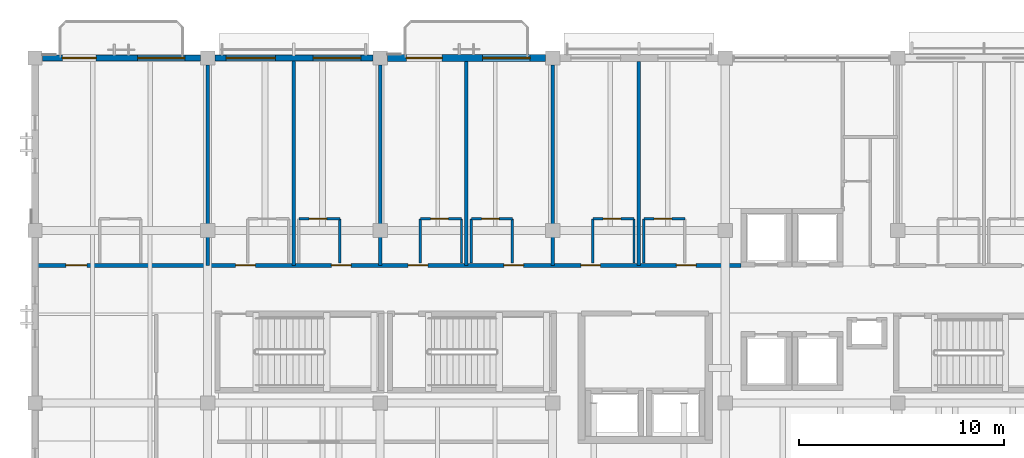
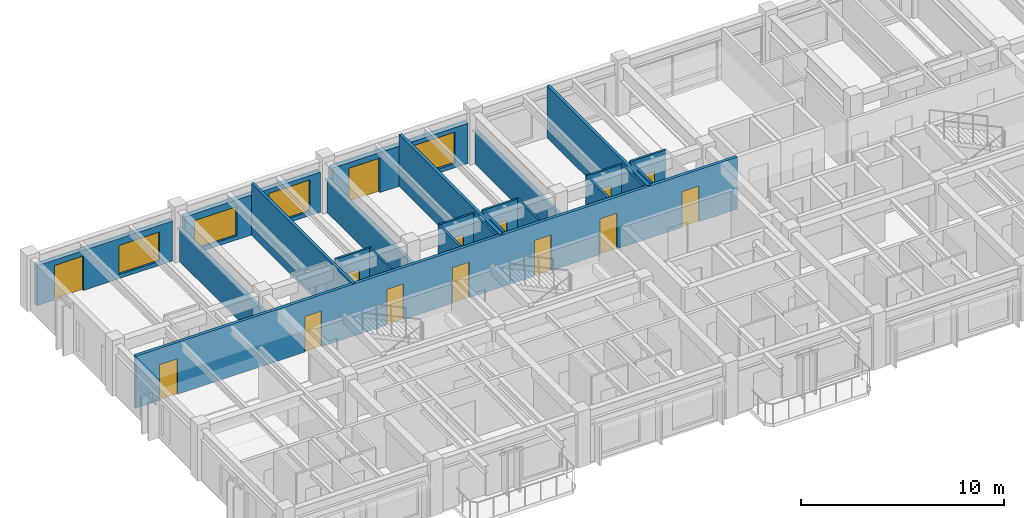
# One storey, part 8 of 18: 23 walls, 14 doors, 4 windows, 18 openings.
"""IFC4 building model written with IfcOpenShell, lengths in metres."""

from ifc_helpers import new_model, si_unit, direction, frame, frame_2d, origin, place, context, subcontext, project, spatial, rectangle, extrude, material, layer, layer_set, type_object, element, fill, save


model = new_model("IFC4")

# Units and contexts
model_context = context("Model", 3, precision=1e-05, world=origin(), true_north=direction((0.0, 1.0)))
body_context = subcontext(model_context, "Body", "Model", "MODEL_VIEW")
ifc_project = project(units=[si_unit("LENGTHUNIT", "METRE"), si_unit("AREAUNIT", "SQUARE_METRE"), si_unit("VOLUMEUNIT", "CUBIC_METRE"), si_unit("PLANEANGLEUNIT", "RADIAN"), si_unit("MASSUNIT", "GRAM", prefix="KILO")], contexts=[model_context])

# Site, building, storey
site_placement = place(None, origin())
site = spatial("IfcSite", under=ifc_project, at=site_placement, CompositionType="ELEMENT")
building_placement = place(site_placement, origin())
building = spatial("IfcBuilding", under=site, at=building_placement, Name="Cumbredor Promenade Congress Hotel", CompositionType="ELEMENT")
storey_placement = place(building_placement, frame((0.0, 0.0, 25.199951171875)))
storey = spatial("IfcBuildingStorey", under=building, at=storey_placement, Name="L07", CompositionType="ELEMENT", Elevation=25.199951171875)

# Wall, opening, door
ifc_material_1 = material(Name="Moisture-resistant gypsum board on steel studs", Category="steel")
ifc_layer_1 = layer(ifc_material_1, 0.114990234375, Name="Moisture-resistant gypsum board on steel studs", Category="steel")
ifc_layer_set_1 = layer_set([ifc_layer_1], Name="Moisture-resistant gypsum board on steel studs")
wall_type_1 = type_object("IfcWallType", Name="WL-BATH-115", PredefinedType="PARTITIONING", material=ifc_layer_set_1)
wall_1_placement = place(storey_placement, frame((12.840087890625, 109.77001953125, 0.0), z_axis=(0.0, 0.0, 1.0), x_axis=(1.0, 0.0, 0.0)))
wall_1 = element("IfcWall", 1, at=wall_1_placement, inside=storey, type_object=wall_type_1, Name="L07 Interior Partition W-L07-BH-0703", PredefinedType="PARTITIONING", context=body_context, shape_type="SweptSolid", body=[
    extrude(rectangle(XDim=2.0, YDim=0.114990234375, at=frame_2d((1.0, 0.0))), origin(), (0.0, 0.0, 1.0), 3.1201171875),
])
opening_1_placement = place(wall_1_placement, frame((0.5, 0.0, 0.0)))
opening_1 = element("IfcOpeningElement", 2, at=opening_1_placement, cuts=wall_1, Name="Opening ID-01", PredefinedType="OPENING", context=body_context, shape_type="SweptSolid", body=[
    extrude(rectangle(XDim=0.860107421875, YDim=2.050048828125, at=frame_2d((0.43017578125, 1.02490234375))), frame((0.0, 0.0673828125, 0.0), z_axis=(0.0, -1.0, 0.0), x_axis=(1.0, 0.0, 0.0)), (0.0, 0.0, 1.0), 0.135009765625),
])
ifc_material_2 = material(Name="Kiln-dried tropical hardwood", Category="wood")
door_type_1 = type_object("IfcDoorType", Name="DR-BATH-860", OperationType="NOTDEFINED", PredefinedType="DOOR", material=ifc_material_2)
door_1_placement = place(opening_1_placement, origin())
door_1 = element("IfcDoor", 3, at=door_1_placement, inside=storey, type_object=door_type_1, Name="L07 Interior Door W-L07-BH-0703-01", OperationType="SINGLE_SWING_LEFT", OverallHeight=2.050048828125, OverallWidth=0.860107421875, PredefinedType="DOOR", context=body_context, shape_type="SweptSolid", body=[
    extrude(rectangle(XDim=0.860107421875, YDim=2.050048828125, at=frame_2d((0.43017578125, 1.02490234375))), frame((0.0, 0.02490234375, 0.0), z_axis=(0.0, -1.0, 0.0), x_axis=(1.0, 0.0, 0.0)), (0.0, 0.0, 1.0), 0.050048828125),
])
fill(opening_1, door_1)

# Wall
wall_2_placement = place(storey_placement, frame((14.840087890625, 107.6201171875, 0.0), z_axis=(0.0, 0.0, 1.0), x_axis=(0.0, 1.0, 0.0)))
element("IfcWall", 4, at=wall_2_placement, inside=storey, type_object=wall_type_1, Name="L07 Interior Partition W-L07-BV2-0703", PredefinedType="PARTITIONING", context=body_context, shape_type="SweptSolid", body=[
    extrude(rectangle(XDim=2.14990234375, YDim=0.114990234375, at=frame_2d((1.074951171875, 0.0))), origin(), (0.0, 0.0, 1.0), 3.1201171875),
])

# Wall, opening, door
wall_3_placement = place(storey_placement, frame((18.760009765625, 109.77001953125, 0.0), z_axis=(0.0, 0.0, 1.0), x_axis=(1.0, 0.0, 0.0)))
wall_3 = element("IfcWall", 5, at=wall_3_placement, inside=storey, type_object=wall_type_1, Name="L07 Interior Partition W-L07-BH-0704", PredefinedType="PARTITIONING", context=body_context, shape_type="SweptSolid", body=[
    extrude(rectangle(XDim=2.0, YDim=0.114990234375, at=frame_2d((1.0, 0.0))), origin(), (0.0, 0.0, 1.0), 3.1201171875),
])
opening_2_placement = place(wall_3_placement, frame((0.5, 0.0, 0.0)))
opening_2 = element("IfcOpeningElement", 6, at=opening_2_placement, cuts=wall_3, Name="Opening ID-01", PredefinedType="OPENING", context=body_context, shape_type="SweptSolid", body=[
    extrude(rectangle(XDim=0.860107421875, YDim=2.050048828125, at=frame_2d((0.43017578125, 1.02490234375))), frame((0.0, 0.0673828125, 0.0), z_axis=(0.0, -1.0, 0.0), x_axis=(1.0, 0.0, 0.0)), (0.0, 0.0, 1.0), 0.135009765625),
])
door_2_placement = place(opening_2_placement, origin())
door_2 = element("IfcDoor", 7, at=door_2_placement, inside=storey, type_object=door_type_1, Name="L07 Interior Door W-L07-BH-0704-01", OperationType="SINGLE_SWING_RIGHT", OverallHeight=2.050048828125, OverallWidth=0.860107421875, PredefinedType="DOOR", context=body_context, shape_type="SweptSolid", body=[
    extrude(rectangle(XDim=0.860107421875, YDim=2.050048828125, at=frame_2d((0.43017578125, 1.02490234375))), frame((0.0, 0.02490234375, 0.0), z_axis=(0.0, -1.0, 0.0), x_axis=(1.0, 0.0, 0.0)), (0.0, 0.0, 1.0), 0.050048828125),
])
fill(opening_2, door_2)

# Walls
for number, where, z_axis, x_axis, name in (
    (8, (18.760009765625, 107.6201171875, 0.0), (0.0, 0.0, 1.0), (0.0, 1.0, 0.0), "L07 Interior Partition W-L07-BV1-0704"),
    (9, (20.760009765625, 107.6201171875, 0.0), (0.0, 0.0, 1.0), (0.0, 1.0, 0.0), "L07 Interior Partition W-L07-BV2-0704"),
):
    element("IfcWall", number, at=place(storey_placement, frame(where, z_axis=z_axis, x_axis=x_axis)), inside=storey, type_object=wall_type_1, Name=name, PredefinedType="PARTITIONING", context=body_context, shape_type="SweptSolid", body=[
        extrude(rectangle(XDim=2.14990234375, YDim=0.114990234375, at=frame_2d((1.074951171875, 0.0))), origin(), (0.0, 0.0, 1.0), 3.1201171875),
    ])

# Wall, opening, door
wall_4_placement = place(storey_placement, frame((21.239990234375, 109.77001953125, 0.0), z_axis=(0.0, 0.0, 1.0), x_axis=(1.0, 0.0, 0.0)))
wall_4 = element("IfcWall", 10, at=wall_4_placement, inside=storey, type_object=wall_type_1, Name="L07 Interior Partition W-L07-BH-0705", PredefinedType="PARTITIONING", context=body_context, shape_type="SweptSolid", body=[
    extrude(rectangle(XDim=2.0, YDim=0.114990234375, at=frame_2d((1.0, 0.0))), origin(), (0.0, 0.0, 1.0), 3.1201171875),
])
opening_3_placement = place(wall_4_placement, frame((0.5, 0.0, 0.0)))
opening_3 = element("IfcOpeningElement", 11, at=opening_3_placement, cuts=wall_4, Name="Opening ID-01", PredefinedType="OPENING", context=body_context, shape_type="SweptSolid", body=[
    extrude(rectangle(XDim=0.860107421875, YDim=2.050048828125, at=frame_2d((0.43017578125, 1.02490234375))), frame((0.0, 0.0673828125, 0.0), z_axis=(0.0, -1.0, 0.0), x_axis=(1.0, 0.0, 0.0)), (0.0, 0.0, 1.0), 0.135009765625),
])
door_3_placement = place(opening_3_placement, origin())
door_3 = element("IfcDoor", 12, at=door_3_placement, inside=storey, type_object=door_type_1, Name="L07 Interior Door W-L07-BH-0705-01", OperationType="SINGLE_SWING_LEFT", OverallHeight=2.050048828125, OverallWidth=0.860107421875, PredefinedType="DOOR", context=body_context, shape_type="SweptSolid", body=[
    extrude(rectangle(XDim=0.860107421875, YDim=2.050048828125, at=frame_2d((0.43017578125, 1.02490234375))), frame((0.0, 0.02490234375, 0.0), z_axis=(0.0, -1.0, 0.0), x_axis=(1.0, 0.0, 0.0)), (0.0, 0.0, 1.0), 0.050048828125),
])
fill(opening_3, door_3)

# Walls
for number, where, z_axis, x_axis, name in (
    (13, (21.239990234375, 107.6201171875, 0.0), (0.0, 0.0, 1.0), (0.0, 1.0, 0.0), "L07 Interior Partition W-L07-BV1-0705"),
    (14, (23.239990234375, 107.6201171875, 0.0), (0.0, 0.0, 1.0), (0.0, 1.0, 0.0), "L07 Interior Partition W-L07-BV2-0705"),
):
    element("IfcWall", number, at=place(storey_placement, frame(where, z_axis=z_axis, x_axis=x_axis)), inside=storey, type_object=wall_type_1, Name=name, PredefinedType="PARTITIONING", context=body_context, shape_type="SweptSolid", body=[
        extrude(rectangle(XDim=2.14990234375, YDim=0.114990234375, at=frame_2d((1.074951171875, 0.0))), origin(), (0.0, 0.0, 1.0), 3.1201171875),
    ])

# Wall, opening, door
wall_5_placement = place(storey_placement, frame((27.159912109375, 109.77001953125, 0.0), z_axis=(0.0, 0.0, 1.0), x_axis=(1.0, 0.0, 0.0)))
wall_5 = element("IfcWall", 15, at=wall_5_placement, inside=storey, type_object=wall_type_1, Name="L07 Interior Partition W-L07-BH-0706", PredefinedType="PARTITIONING", context=body_context, shape_type="SweptSolid", body=[
    extrude(rectangle(XDim=2.0, YDim=0.114990234375, at=frame_2d((1.0, 0.0))), origin(), (0.0, 0.0, 1.0), 3.1201171875),
])
opening_4_placement = place(wall_5_placement, frame((0.5, 0.0, 0.0)))
opening_4 = element("IfcOpeningElement", 16, at=opening_4_placement, cuts=wall_5, Name="Opening ID-01", PredefinedType="OPENING", context=body_context, shape_type="SweptSolid", body=[
    extrude(rectangle(XDim=0.860107421875, YDim=2.050048828125, at=frame_2d((0.43017578125, 1.02490234375))), frame((0.0, 0.0673828125, 0.0), z_axis=(0.0, -1.0, 0.0), x_axis=(1.0, 0.0, 0.0)), (0.0, 0.0, 1.0), 0.135009765625),
])
door_4_placement = place(opening_4_placement, origin())
door_4 = element("IfcDoor", 17, at=door_4_placement, inside=storey, type_object=door_type_1, Name="L07 Interior Door W-L07-BH-0706-01", OperationType="SINGLE_SWING_RIGHT", OverallHeight=2.050048828125, OverallWidth=0.860107421875, PredefinedType="DOOR", context=body_context, shape_type="SweptSolid", body=[
    extrude(rectangle(XDim=0.860107421875, YDim=2.050048828125, at=frame_2d((0.43017578125, 1.02490234375))), frame((0.0, 0.02490234375, 0.0), z_axis=(0.0, -1.0, 0.0), x_axis=(1.0, 0.0, 0.0)), (0.0, 0.0, 1.0), 0.050048828125),
])
fill(opening_4, door_4)

# Walls
for number, where, z_axis, x_axis, name in (
    (18, (27.159912109375, 107.6201171875, 0.0), (0.0, 0.0, 1.0), (0.0, 1.0, 0.0), "L07 Interior Partition W-L07-BV1-0706"),
    (19, (29.159912109375, 107.6201171875, 0.0), (0.0, 0.0, 1.0), (0.0, 1.0, 0.0), "L07 Interior Partition W-L07-BV2-0706"),
):
    element("IfcWall", number, at=place(storey_placement, frame(where, z_axis=z_axis, x_axis=x_axis)), inside=storey, type_object=wall_type_1, Name=name, PredefinedType="PARTITIONING", context=body_context, shape_type="SweptSolid", body=[
        extrude(rectangle(XDim=2.14990234375, YDim=0.114990234375, at=frame_2d((1.074951171875, 0.0))), origin(), (0.0, 0.0, 1.0), 3.1201171875),
    ])

# Wall, opening, door
wall_6_placement = place(storey_placement, frame((29.639892578125, 109.77001953125, 0.0), z_axis=(0.0, 0.0, 1.0), x_axis=(1.0, 0.0, 0.0)))
wall_6 = element("IfcWall", 20, at=wall_6_placement, inside=storey, type_object=wall_type_1, Name="L07 Interior Partition W-L07-BH-0707", PredefinedType="PARTITIONING", context=body_context, shape_type="SweptSolid", body=[
    extrude(rectangle(XDim=2.0, YDim=0.114990234375, at=frame_2d((1.0, 0.0))), origin(), (0.0, 0.0, 1.0), 3.1201171875),
])
opening_5_placement = place(wall_6_placement, frame((0.5, 0.0, 0.0)))
opening_5 = element("IfcOpeningElement", 21, at=opening_5_placement, cuts=wall_6, Name="Opening ID-01", PredefinedType="OPENING", context=body_context, shape_type="SweptSolid", body=[
    extrude(rectangle(XDim=0.860107421875, YDim=2.050048828125, at=frame_2d((0.43017578125, 1.02490234375))), frame((0.0, 0.0673828125, 0.0), z_axis=(0.0, -1.0, 0.0), x_axis=(1.0, 0.0, 0.0)), (0.0, 0.0, 1.0), 0.135009765625),
])
door_5_placement = place(opening_5_placement, origin())
door_5 = element("IfcDoor", 22, at=door_5_placement, inside=storey, type_object=door_type_1, Name="L07 Interior Door W-L07-BH-0707-01", OperationType="SINGLE_SWING_LEFT", OverallHeight=2.050048828125, OverallWidth=0.860107421875, PredefinedType="DOOR", context=body_context, shape_type="SweptSolid", body=[
    extrude(rectangle(XDim=0.860107421875, YDim=2.050048828125, at=frame_2d((0.43017578125, 1.02490234375))), frame((0.0, 0.02490234375, 0.0), z_axis=(0.0, -1.0, 0.0), x_axis=(1.0, 0.0, 0.0)), (0.0, 0.0, 1.0), 0.050048828125),
])
fill(opening_5, door_5)

# Wall
wall_7_placement = place(storey_placement, frame((29.639892578125, 107.6201171875, 0.0), z_axis=(0.0, 0.0, 1.0), x_axis=(0.0, 1.0, 0.0)))
element("IfcWall", 23, at=wall_7_placement, inside=storey, type_object=wall_type_1, Name="L07 Interior Partition W-L07-BV1-0707", PredefinedType="PARTITIONING", context=body_context, shape_type="SweptSolid", body=[
    extrude(rectangle(XDim=2.14990234375, YDim=0.114990234375, at=frame_2d((1.074951171875, 0.0))), origin(), (0.0, 0.0, 1.0), 3.1201171875),
])

# Wall, openings, doors
ifc_material_3 = material(Name="Fire-rated hotel corridor wall")
ifc_layer_2 = layer(ifc_material_3, 0.179931640625, Name="Fire-rated hotel corridor wall")
ifc_layer_set_2 = layer_set([ifc_layer_2], Name="Fire-rated hotel corridor wall")
wall_type_2 = type_object("IfcWallType", Name="WL-CORR-180", PredefinedType="PARTITIONING", material=ifc_layer_set_2)
wall_8_placement = place(storey_placement, frame((0.14990234375, 107.5, 0.0), z_axis=(0.0, 0.0, 1.0), x_axis=(1.0, 0.0, 0.0)))
wall_8 = element("IfcWall", 24, at=wall_8_placement, inside=storey, type_object=wall_type_2, Name="L07 Interior Partition W-L07-CORR-NW", PredefinedType="PARTITIONING", context=body_context, shape_type="SweptSolid", body=[
    extrude(rectangle(XDim=34.22021484375, YDim=0.179931640625, at=frame_2d((17.110107421875, 0.0))), origin(), (0.0, 0.0, 1.0), 3.1201171875),
])
opening_6_placement = place(wall_8_placement, frame((1.35009765625, 0.0, 0.0)))
opening_6 = element("IfcOpeningElement", 25, at=opening_6_placement, cuts=wall_8, Name="Opening FD-02", PredefinedType="OPENING", context=body_context, shape_type="SweptSolid", body=[
    extrude(rectangle(XDim=1.02001953125, YDim=2.14990234375, at=frame_2d((0.510009765625, 1.074951171875))), frame((0.0, 0.10009765625, 0.0), z_axis=(0.0, -1.0, 0.0), x_axis=(1.0, 0.0, 0.0)), (0.0, 0.0, 1.0), 0.199951171875),
])
opening_7_placement = place(wall_8_placement, frame((9.6201171875, 0.0, 0.0)))
opening_7 = element("IfcOpeningElement", 26, at=opening_7_placement, cuts=wall_8, Name="Opening FD-01", PredefinedType="OPENING", context=body_context, shape_type="SweptSolid", body=[
    extrude(rectangle(XDim=0.9599609375, YDim=2.14990234375, at=frame_2d((0.47998046875, 1.074951171875))), frame((0.0, 0.10009765625, 0.0), z_axis=(0.0, -1.0, 0.0), x_axis=(1.0, 0.0, 0.0)), (0.0, 0.0, 1.0), 0.199951171875),
])
opening_8_placement = place(wall_8_placement, frame((14.280029296875, 0.0, 0.0)))
opening_8 = element("IfcOpeningElement", 27, at=opening_8_placement, cuts=wall_8, Name="Opening FD-01", PredefinedType="OPENING", context=body_context, shape_type="SweptSolid", body=[
    extrude(rectangle(XDim=0.9599609375, YDim=2.14990234375, at=frame_2d((0.47998046875, 1.074951171875))), frame((0.0, 0.10009765625, 0.0), z_axis=(0.0, -1.0, 0.0), x_axis=(1.0, 0.0, 0.0)), (0.0, 0.0, 1.0), 0.199951171875),
])
opening_9_placement = place(wall_8_placement, frame((18.02001953125, 0.0, 0.0)))
opening_9 = element("IfcOpeningElement", 28, at=opening_9_placement, cuts=wall_8, Name="Opening FD-01", PredefinedType="OPENING", context=body_context, shape_type="SweptSolid", body=[
    extrude(rectangle(XDim=0.9599609375, YDim=2.14990234375, at=frame_2d((0.47998046875, 1.074951171875))), frame((0.0, 0.10009765625, 0.0), z_axis=(0.0, -1.0, 0.0), x_axis=(1.0, 0.0, 0.0)), (0.0, 0.0, 1.0), 0.199951171875),
])
opening_10_placement = place(wall_8_placement, frame((22.679931640625, 0.0, 0.0)))
opening_10 = element("IfcOpeningElement", 29, at=opening_10_placement, cuts=wall_8, Name="Opening FD-01", PredefinedType="OPENING", context=body_context, shape_type="SweptSolid", body=[
    extrude(rectangle(XDim=0.9599609375, YDim=2.14990234375, at=frame_2d((0.47998046875, 1.074951171875))), frame((0.0, 0.10009765625, 0.0), z_axis=(0.0, -1.0, 0.0), x_axis=(1.0, 0.0, 0.0)), (0.0, 0.0, 1.0), 0.199951171875),
])
opening_11_placement = place(wall_8_placement, frame((26.419921875, 0.0, 0.0)))
opening_11 = element("IfcOpeningElement", 30, at=opening_11_placement, cuts=wall_8, Name="Opening FD-01", PredefinedType="OPENING", context=body_context, shape_type="SweptSolid", body=[
    extrude(rectangle(XDim=0.9599609375, YDim=2.14990234375, at=frame_2d((0.47998046875, 1.074951171875))), frame((0.0, 0.10009765625, 0.0), z_axis=(0.0, -1.0, 0.0), x_axis=(1.0, 0.0, 0.0)), (0.0, 0.0, 1.0), 0.199951171875),
])
opening_12_placement = place(wall_8_placement, frame((31.080078125, 0.0, 0.0)))
opening_12 = element("IfcOpeningElement", 31, at=opening_12_placement, cuts=wall_8, Name="Opening FD-01", PredefinedType="OPENING", context=body_context, shape_type="SweptSolid", body=[
    extrude(rectangle(XDim=0.9599609375, YDim=2.14990234375, at=frame_2d((0.47998046875, 1.074951171875))), frame((0.0, 0.10009765625, 0.0), z_axis=(0.0, -1.0, 0.0), x_axis=(1.0, 0.0, 0.0)), (0.0, 0.0, 1.0), 0.199951171875),
])
ifc_material_4 = material(Name="Solid-core fire-rated tropical hardwood", Category="wood")
door_type_2 = type_object("IfcDoorType", Name="DR-GUEST-FD30-1000", OperationType="NOTDEFINED", PredefinedType="DOOR", material=ifc_material_4)
door_6_placement = place(opening_6_placement, origin())
door_6 = element("IfcDoor", 32, at=door_6_placement, inside=storey, type_object=door_type_2, Name="L07 Interior Door W-L07-CORR-NW-01", OperationType="SINGLE_SWING_RIGHT", OverallHeight=2.14990234375, OverallWidth=1.02001953125, PredefinedType="DOOR", context=body_context, shape_type="SweptSolid", body=[
    extrude(rectangle(XDim=1.02001953125, YDim=2.14990234375, at=frame_2d((0.510009765625, 1.074951171875))), frame((0.0, 0.02490234375, 0.0), z_axis=(0.0, -1.0, 0.0), x_axis=(1.0, 0.0, 0.0)), (0.0, 0.0, 1.0), 0.050048828125),
])
fill(opening_6, door_6)
door_type_3 = type_object("IfcDoorType", Name="DR-GUEST-FD30-950", OperationType="NOTDEFINED", PredefinedType="DOOR", material=ifc_material_4)
door_7_placement = place(opening_7_placement, origin())
door_7 = element("IfcDoor", 33, at=door_7_placement, inside=storey, type_object=door_type_3, Name="L07 Interior Door W-L07-CORR-NW-02", OperationType="SINGLE_SWING_LEFT", OverallHeight=2.14990234375, OverallWidth=0.9599609375, PredefinedType="DOOR", context=body_context, shape_type="SweptSolid", body=[
    extrude(rectangle(XDim=0.9599609375, YDim=2.14990234375, at=frame_2d((0.47998046875, 1.074951171875))), frame((0.0, 0.02490234375, 0.0), z_axis=(0.0, -1.0, 0.0), x_axis=(1.0, 0.0, 0.0)), (0.0, 0.0, 1.0), 0.050048828125),
])
fill(opening_7, door_7)
door_8_placement = place(opening_8_placement, origin())
door_8 = element("IfcDoor", 34, at=door_8_placement, inside=storey, type_object=door_type_3, Name="L07 Interior Door W-L07-CORR-NW-03", OperationType="SINGLE_SWING_RIGHT", OverallHeight=2.14990234375, OverallWidth=0.9599609375, PredefinedType="DOOR", context=body_context, shape_type="SweptSolid", body=[
    extrude(rectangle(XDim=0.9599609375, YDim=2.14990234375, at=frame_2d((0.47998046875, 1.074951171875))), frame((0.0, 0.02490234375, 0.0), z_axis=(0.0, -1.0, 0.0), x_axis=(1.0, 0.0, 0.0)), (0.0, 0.0, 1.0), 0.050048828125),
])
fill(opening_8, door_8)
door_9_placement = place(opening_9_placement, origin())
door_9 = element("IfcDoor", 35, at=door_9_placement, inside=storey, type_object=door_type_3, Name="L07 Interior Door W-L07-CORR-NW-04", OperationType="SINGLE_SWING_LEFT", OverallHeight=2.14990234375, OverallWidth=0.9599609375, PredefinedType="DOOR", context=body_context, shape_type="SweptSolid", body=[
    extrude(rectangle(XDim=0.9599609375, YDim=2.14990234375, at=frame_2d((0.47998046875, 1.074951171875))), frame((0.0, 0.02490234375, 0.0), z_axis=(0.0, -1.0, 0.0), x_axis=(1.0, 0.0, 0.0)), (0.0, 0.0, 1.0), 0.050048828125),
])
fill(opening_9, door_9)
door_10_placement = place(opening_10_placement, origin())
door_10 = element("IfcDoor", 36, at=door_10_placement, inside=storey, type_object=door_type_3, Name="L07 Interior Door W-L07-CORR-NW-05", OperationType="SINGLE_SWING_RIGHT", OverallHeight=2.14990234375, OverallWidth=0.9599609375, PredefinedType="DOOR", context=body_context, shape_type="SweptSolid", body=[
    extrude(rectangle(XDim=0.9599609375, YDim=2.14990234375, at=frame_2d((0.47998046875, 1.074951171875))), frame((0.0, 0.02490234375, 0.0), z_axis=(0.0, -1.0, 0.0), x_axis=(1.0, 0.0, 0.0)), (0.0, 0.0, 1.0), 0.050048828125),
])
fill(opening_10, door_10)
door_11_placement = place(opening_11_placement, origin())
door_11 = element("IfcDoor", 37, at=door_11_placement, inside=storey, type_object=door_type_3, Name="L07 Interior Door W-L07-CORR-NW-06", OperationType="SINGLE_SWING_LEFT", OverallHeight=2.14990234375, OverallWidth=0.9599609375, PredefinedType="DOOR", context=body_context, shape_type="SweptSolid", body=[
    extrude(rectangle(XDim=0.9599609375, YDim=2.14990234375, at=frame_2d((0.47998046875, 1.074951171875))), frame((0.0, 0.02490234375, 0.0), z_axis=(0.0, -1.0, 0.0), x_axis=(1.0, 0.0, 0.0)), (0.0, 0.0, 1.0), 0.050048828125),
])
fill(opening_11, door_11)
door_12_placement = place(opening_12_placement, origin())
door_12 = element("IfcDoor", 38, at=door_12_placement, inside=storey, type_object=door_type_3, Name="L07 Interior Door W-L07-CORR-NW-07", OperationType="SINGLE_SWING_RIGHT", OverallHeight=2.14990234375, OverallWidth=0.9599609375, PredefinedType="DOOR", context=body_context, shape_type="SweptSolid", body=[
    extrude(rectangle(XDim=0.9599609375, YDim=2.14990234375, at=frame_2d((0.47998046875, 1.074951171875))), frame((0.0, 0.02490234375, 0.0), z_axis=(0.0, -1.0, 0.0), x_axis=(1.0, 0.0, 0.0)), (0.0, 0.0, 1.0), 0.050048828125),
])
fill(opening_12, door_12)

# Wall, openings, door, window
ifc_material_5 = material(Name="Concrete C40/50", Category="concrete")
ifc_layer_3 = layer(ifc_material_5, 0.280029296875, Name="Concrete C40/50", Category="concrete")
ifc_layer_set_3 = layer_set([ifc_layer_3], Name="Concrete C40/50")
wall_type_3 = type_object("IfcWallType", Name="WL-EXT-280", PredefinedType="SOLIDWALL", material=ifc_layer_set_3)
wall_9_placement = place(storey_placement, frame((0.35107421875, 117.60009765625, 0.0), z_axis=(0.0, 0.0, 1.0), x_axis=(1.0, 0.0, 0.0)))
wall_9 = element("IfcWall", 39, at=wall_9_placement, inside=storey, type_object=wall_type_3, Name="L07 Stepped Congress Hotel Wing North Envelope Wall 1", PredefinedType="SOLIDWALL", context=body_context, shape_type="SweptSolid", body=[
    extrude(rectangle(XDim=7.697998046875, YDim=0.280029296875, at=frame_2d((3.84912109375, 0.0))), origin(), (0.0, 0.0, 1.0), 2.4140625),
])
opening_13_placement = place(wall_9_placement, frame((0.97412109375, 0.0, 0.0)))
opening_13 = element("IfcOpeningElement", 40, at=opening_13_placement, cuts=wall_9, Name="Opening TD-02", PredefinedType="OPENING", context=body_context, shape_type="SweptSolid", body=[
    extrude(rectangle(XDim=1.64990234375, YDim=2.080078125, at=frame_2d((0.824951171875, 1.0400390625))), frame((0.0, 0.14990234375, 0.0), z_axis=(0.0, -1.0, 0.0), x_axis=(1.0, 0.0, 0.0)), (0.0, 0.0, 1.0), 0.300048828125),
])
opening_14_placement = place(wall_9_placement, frame((4.64892578125, 0.0, 0.25)))
opening_14 = element("IfcOpeningElement", 41, at=opening_14_placement, cuts=wall_9, Name="Opening WN-25", PredefinedType="OPENING", context=body_context, shape_type="SweptSolid", body=[
    extrude(rectangle(XDim=2.300048828125, YDim=1.75, at=frame_2d((1.14990234375, 0.875))), frame((0.0, 0.14990234375, 0.0), z_axis=(0.0, -1.0, 0.0), x_axis=(1.0, 0.0, 0.0)), (0.0, 0.0, 1.0), 0.300048828125),
])
ifc_material_6 = material(Name="Thermally broken anodized aluminium and laminated safety glass", Category="aluminium")
door_type_4 = type_object("IfcDoorType", Name="EXT-DR-TER-1650x2080", OperationType="DOUBLE_DOOR_SINGLE_SWING", PredefinedType="DOOR", material=ifc_material_6)
door_13_placement = place(opening_13_placement, origin())
door_13 = element("IfcDoor", 42, at=door_13_placement, inside=storey, type_object=door_type_4, Name="L07 Guestroom Veranda Balcony Door 079", OperationType="DOUBLE_DOOR_SINGLE_SWING", OverallHeight=2.080078125, OverallWidth=1.64990234375, PredefinedType="DOOR", context=body_context, shape_type="SweptSolid", body=[
    extrude(rectangle(XDim=1.64990234375, YDim=2.080078125, at=frame_2d((0.824951171875, 1.0400390625))), frame((0.0, 0.02490234375, 0.0), z_axis=(0.0, -1.0, 0.0), x_axis=(1.0, 0.0, 0.0)), (0.0, 0.0, 1.0), 0.050048828125),
])
fill(opening_13, door_13)
ifc_material_7 = material(Name="Thermally broken anodized aluminium and low-E glass", Category="aluminium")
window_type_1 = type_object("IfcWindowType", Name="Hospitality Floor-to-Ceiling Window WN-25 2300x1750", PartitioningType="DOUBLE_PANEL_VERTICAL", PredefinedType="WINDOW", material=ifc_material_7)
window_1_placement = place(opening_14_placement, origin())
window_1 = element("IfcWindow", 43, at=window_1_placement, inside=storey, type_object=window_type_1, Name="L07 Veranda Companion Floor-to-Ceiling Window 0627", OverallHeight=1.75, OverallWidth=2.300048828125, PartitioningType="DOUBLE_PANEL_VERTICAL", PredefinedType="WINDOW", context=body_context, shape_type="SweptSolid", body=[
    extrude(rectangle(XDim=2.300048828125, YDim=1.75, at=frame_2d((1.14990234375, 0.875))), frame((0.0, 0.030029296875, 0.0), z_axis=(0.0, -1.0, 0.0), x_axis=(1.0, 0.0, 0.0)), (0.0, 0.0, 1.0), 0.06005859375),
])
fill(opening_14, window_1)

# Wall, openings, windows
ifc_layer_4 = layer(ifc_material_5, 0.300048828125, Name="Concrete C40/50", Category="concrete")
ifc_layer_set_4 = layer_set([ifc_layer_4], Name="Concrete C40/50")
wall_type_4 = type_object("IfcWallType", Name="WL-EXT-300", PredefinedType="SOLIDWALL", material=ifc_layer_set_4)
wall_10_placement = place(storey_placement, frame((8.7509765625, 117.60009765625, 0.0), z_axis=(0.0, 0.0, 1.0), x_axis=(1.0, 0.0, 0.0)))
wall_10 = element("IfcWall", 44, at=wall_10_placement, inside=storey, type_object=wall_type_4, Name="L07 Stepped Congress Hotel Wing North Envelope Wall 2", PredefinedType="SOLIDWALL", context=body_context, shape_type="SweptSolid", body=[
    extrude(rectangle(XDim=7.697998046875, YDim=0.300048828125, at=frame_2d((3.84912109375, 0.0))), origin(), (0.0, 0.0, 1.0), 2.4140625),
])
opening_15_placement = place(wall_10_placement, frame((0.549072265625, 0.0, 0.25)))
opening_15 = element("IfcOpeningElement", 45, at=opening_15_placement, cuts=wall_10, Name="Opening WN-26", PredefinedType="OPENING", context=body_context, shape_type="SweptSolid", body=[
    extrude(rectangle(XDim=2.39990234375, YDim=1.75, at=frame_2d((1.199951171875, 0.875))), frame((0.0, 0.16015625, 0.0), z_axis=(0.0, -1.0, 0.0), x_axis=(1.0, 0.0, 0.0)), (0.0, 0.0, 1.0), 0.320068359375),
])
opening_16_placement = place(wall_10_placement, frame((4.7890625, 0.0, 0.25)))
opening_16 = element("IfcOpeningElement", 46, at=opening_16_placement, cuts=wall_10, Name="Opening WN-36", PredefinedType="OPENING", context=body_context, shape_type="SweptSolid", body=[
    extrude(rectangle(XDim=2.320068359375, YDim=1.89990234375, at=frame_2d((1.16015625, 0.949951171875))), frame((0.0, 0.16015625, 0.0), z_axis=(0.0, -1.0, 0.0), x_axis=(1.0, 0.0, 0.0)), (0.0, 0.0, 1.0), 0.320068359375),
])
window_type_2 = type_object("IfcWindowType", Name="Hospitality Floor-to-Ceiling Window WN-26 2400x1750", PartitioningType="DOUBLE_PANEL_VERTICAL", PredefinedType="WINDOW", material=ifc_material_7)
window_2_placement = place(opening_15_placement, origin())
window_2 = element("IfcWindow", 47, at=window_2_placement, inside=storey, type_object=window_type_2, Name="L07 Wide Hospitality Window 0628", OverallHeight=1.75, OverallWidth=2.39990234375, PartitioningType="DOUBLE_PANEL_VERTICAL", PredefinedType="WINDOW", context=body_context, shape_type="SweptSolid", body=[
    extrude(rectangle(XDim=2.39990234375, YDim=1.75, at=frame_2d((1.199951171875, 0.875))), frame((0.0, 0.030029296875, 0.0), z_axis=(0.0, -1.0, 0.0), x_axis=(1.0, 0.0, 0.0)), (0.0, 0.0, 1.0), 0.06005859375),
])
fill(opening_15, window_2)
window_type_3 = type_object("IfcWindowType", Name="Hospitality Floor-to-Ceiling Window WN-36 2320x1900", PartitioningType="DOUBLE_PANEL_VERTICAL", PredefinedType="WINDOW", material=ifc_material_7)
window_3_placement = place(opening_16_placement, origin())
window_3 = element("IfcWindow", 48, at=window_3_placement, inside=storey, type_object=window_type_3, Name="L07 Wide Hospitality Window 0629", OverallHeight=1.89990234375, OverallWidth=2.320068359375, PartitioningType="DOUBLE_PANEL_VERTICAL", PredefinedType="WINDOW", context=body_context, shape_type="SweptSolid", body=[
    extrude(rectangle(XDim=2.320068359375, YDim=1.89990234375, at=frame_2d((1.16015625, 0.949951171875))), frame((0.0, 0.030029296875, 0.0), z_axis=(0.0, -1.0, 0.0), x_axis=(1.0, 0.0, 0.0)), (0.0, 0.0, 1.0), 0.06005859375),
])
fill(opening_16, window_3)

# Wall, openings, door, window
ifc_layer_5 = layer(ifc_material_5, 0.324951171875, Name="Concrete C40/50", Category="concrete")
ifc_layer_set_5 = layer_set([ifc_layer_5], Name="Concrete C40/50")
wall_type_5 = type_object("IfcWallType", Name="WL-EXT-325", PredefinedType="SOLIDWALL", material=ifc_layer_set_5)
wall_11_placement = place(storey_placement, frame((17.15087890625, 117.60009765625, 0.0), z_axis=(0.0, 0.0, 1.0), x_axis=(1.0, 0.0, 0.0)))
wall_11 = element("IfcWall", 49, at=wall_11_placement, inside=storey, type_object=wall_type_5, Name="L07 Stepped Congress Hotel Wing North Envelope Wall 3", PredefinedType="SOLIDWALL", context=body_context, shape_type="SweptSolid", body=[
    extrude(rectangle(XDim=7.6982421875, YDim=0.324951171875, at=frame_2d((3.84912109375, 0.0))), origin(), (0.0, 0.0, 1.0), 2.4140625),
])
opening_17_placement = place(wall_11_placement, frame((0.924072265625, 0.0, 0.0)))
opening_17 = element("IfcOpeningElement", 50, at=opening_17_placement, cuts=wall_11, Name="Opening TD-03", PredefinedType="OPENING", context=body_context, shape_type="SweptSolid", body=[
    extrude(rectangle(XDim=1.75, YDim=2.080078125, at=frame_2d((0.875, 1.0400390625))), frame((0.0, 0.17236328125, 0.0), z_axis=(0.0, -1.0, 0.0), x_axis=(1.0, 0.0, 0.0)), (0.0, 0.0, 1.0), 0.344970703125),
])
opening_18_placement = place(wall_11_placement, frame((4.638916015625, 0.0, 0.25)))
opening_18 = element("IfcOpeningElement", 51, at=opening_18_placement, cuts=wall_11, Name="Opening WN-36", PredefinedType="OPENING", context=body_context, shape_type="SweptSolid", body=[
    extrude(rectangle(XDim=2.320068359375, YDim=1.89990234375, at=frame_2d((1.16015625, 0.949951171875))), frame((0.0, 0.17236328125, 0.0), z_axis=(0.0, -1.0, 0.0), x_axis=(1.0, 0.0, 0.0)), (0.0, 0.0, 1.0), 0.344970703125),
])
door_type_5 = type_object("IfcDoorType", Name="EXT-DR-TER-1750x2080", OperationType="DOUBLE_DOOR_SINGLE_SWING", PredefinedType="DOOR", material=ifc_material_6)
door_14_placement = place(opening_17_placement, origin())
door_14 = element("IfcDoor", 52, at=door_14_placement, inside=storey, type_object=door_type_5, Name="L07 Guestroom Veranda Balcony Door 080", OperationType="DOUBLE_DOOR_SINGLE_SWING", OverallHeight=2.080078125, OverallWidth=1.75, PredefinedType="DOOR", context=body_context, shape_type="SweptSolid", body=[
    extrude(rectangle(XDim=1.75, YDim=2.080078125, at=frame_2d((0.875, 1.0400390625))), frame((0.0, 0.02490234375, 0.0), z_axis=(0.0, -1.0, 0.0), x_axis=(1.0, 0.0, 0.0)), (0.0, 0.0, 1.0), 0.050048828125),
])
fill(opening_17, door_14)
window_4_placement = place(opening_18_placement, origin())
window_4 = element("IfcWindow", 53, at=window_4_placement, inside=storey, type_object=window_type_3, Name="L07 Veranda Companion Floor-to-Ceiling Window 0630", OverallHeight=1.89990234375, OverallWidth=2.320068359375, PartitioningType="DOUBLE_PANEL_VERTICAL", PredefinedType="WINDOW", context=body_context, shape_type="SweptSolid", body=[
    extrude(rectangle(XDim=2.320068359375, YDim=1.89990234375, at=frame_2d((1.16015625, 0.949951171875))), frame((0.0, 0.030029296875, 0.0), z_axis=(0.0, -1.0, 0.0), x_axis=(1.0, 0.0, 0.0)), (0.0, 0.0, 1.0), 0.06005859375),
])
fill(opening_18, window_4)

# Walls
ifc_material_8 = material(Name="Fire-rated acoustic double-stud partition")
ifc_layer_6 = layer(ifc_material_8, 0.1650390625, Name="Fire-rated acoustic double-stud partition")
ifc_layer_set_6 = layer_set([ifc_layer_6], Name="Fire-rated acoustic double-stud partition")
wall_type_6 = type_object("IfcWallType", Name="WL-UNIT-165", PredefinedType="PARTITIONING", material=ifc_layer_set_6)
wall_12_placement = place(storey_placement, frame((12.60009765625, 107.5, 0.0), z_axis=(0.0, 0.0, 1.0), x_axis=(0.0, 1.0, 0.0)))
element("IfcWall", 54, at=wall_12_placement, inside=storey, type_object=wall_type_6, Name="L07 Interior Partition W-L07-N-DIV-1-M", PredefinedType="PARTITIONING", context=body_context, shape_type="SweptSolid", body=[
    extrude(rectangle(XDim=9.949951171875, YDim=0.1650390625, at=frame_2d((4.97509765625, 0.0))), origin(), (0.0, 0.0, 1.0), 3.1201171875),
])
wall_13_placement = place(storey_placement, frame((8.39990234375, 107.5, 0.0), z_axis=(0.0, 0.0, 1.0), x_axis=(0.0, 1.0, 0.0)))
element("IfcWall", 55, at=wall_13_placement, inside=storey, type_object=wall_type_6, Name="L07 Interior Partition W-L07-N-DIV-1-G", PredefinedType="PARTITIONING", context=body_context, shape_type="SweptSolid", body=[
    extrude(rectangle(XDim=9.75, YDim=0.1650390625, at=frame_2d((4.875, 0.0))), origin(), (0.0, 0.0, 1.0), 2.012939453125),
])
wall_14_placement = place(storey_placement, frame((21.0, 107.5, 0.0), z_axis=(0.0, 0.0, 1.0), x_axis=(0.0, 1.0, 0.0)))
element("IfcWall", 56, at=wall_14_placement, inside=storey, type_object=wall_type_6, Name="L07 Interior Partition W-L07-N-DIV-2-M", PredefinedType="PARTITIONING", context=body_context, shape_type="SweptSolid", body=[
    extrude(rectangle(XDim=9.9375, YDim=0.1650390625, at=frame_2d((4.96875, 0.0))), origin(), (0.0, 0.0, 1.0), 3.1201171875),
])
wall_15_placement = place(storey_placement, frame((16.800048828125, 107.5, 0.0), z_axis=(0.0, 0.0, 1.0), x_axis=(0.0, 1.0, 0.0)))
element("IfcWall", 57, at=wall_15_placement, inside=storey, type_object=wall_type_6, Name="L07 Interior Partition W-L07-N-DIV-2-G", PredefinedType="PARTITIONING", context=body_context, shape_type="SweptSolid", body=[
    extrude(rectangle(XDim=9.75, YDim=0.1650390625, at=frame_2d((4.875, 0.0))), origin(), (0.0, 0.0, 1.0), 2.012939453125),
])
wall_16_placement = place(storey_placement, frame((29.39990234375, 107.5, 0.0), z_axis=(0.0, 0.0, 1.0), x_axis=(0.0, 1.0, 0.0)))
element("IfcWall", 58, at=wall_16_placement, inside=storey, type_object=wall_type_6, Name="L07 Interior Partition W-L07-N-DIV-3-M", PredefinedType="PARTITIONING", context=body_context, shape_type="SweptSolid", body=[
    extrude(rectangle(XDim=9.925048828125, YDim=0.1650390625, at=frame_2d((4.96240234375, 0.0))), origin(), (0.0, 0.0, 1.0), 3.1201171875),
])
wall_17_placement = place(storey_placement, frame((25.199951171875, 107.5, 0.0), z_axis=(0.0, 0.0, 1.0), x_axis=(0.0, 1.0, 0.0)))
element("IfcWall", 59, at=wall_17_placement, inside=storey, type_object=wall_type_6, Name="L07 Interior Partition W-L07-N-DIV-3-G", PredefinedType="PARTITIONING", context=body_context, shape_type="SweptSolid", body=[
    extrude(rectangle(XDim=9.75, YDim=0.1650390625, at=frame_2d((4.875, 0.0))), origin(), (0.0, 0.0, 1.0), 2.012939453125),
])

save(model, "model.ifc")
